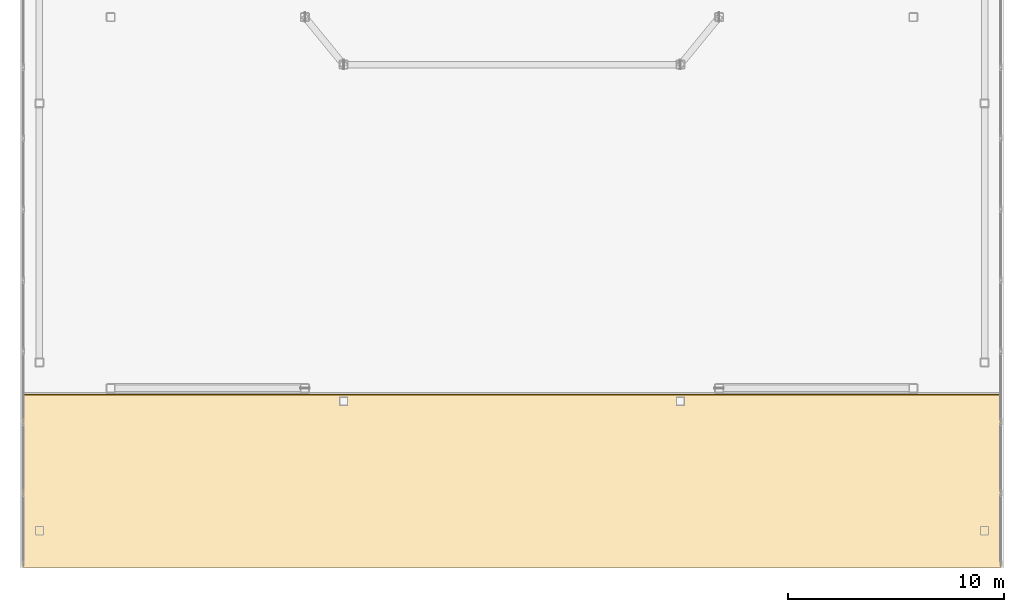
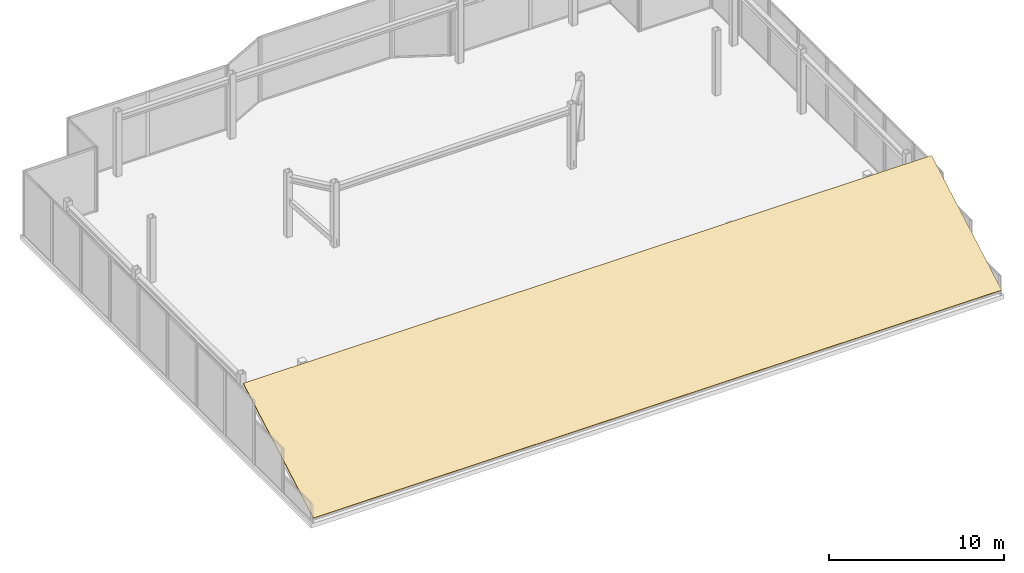
# One storey, part 15 of 15: 1 covering.
"""IFC4 building model written with IfcOpenShell, lengths in metres."""

from ifc_helpers import new_model, si_unit, direction, frame, origin, place, context, subcontext, project, spatial, polyline, outline, extrude, material, layer, layer_set, type_object, element, save


model = new_model("IFC4")

# Units and contexts
model_context = context("Model", 3, precision=1e-05, world=origin(), true_north=direction((0.0, 1.0)))
body_context = subcontext(model_context, "Body", "Model", "MODEL_VIEW")
ifc_project = project(units=[si_unit("LENGTHUNIT", "METRE"), si_unit("AREAUNIT", "SQUARE_METRE"), si_unit("VOLUMEUNIT", "CUBIC_METRE"), si_unit("PLANEANGLEUNIT", "RADIAN"), si_unit("MASSUNIT", "GRAM", prefix="KILO")], contexts=[model_context])

# Site, building, storey
site_placement = place(None, origin())
site = spatial("IfcSite", under=ifc_project, at=site_placement, CompositionType="ELEMENT")
building_placement = place(site_placement, origin())
building = spatial("IfcBuilding", under=site, at=building_placement, Name="Tarnavaz Court Tower", CompositionType="ELEMENT")
storey_placement = place(building_placement, frame((0.0, 0.0, 295.050048828125)))
storey = spatial("IfcBuildingStorey", under=building, at=storey_placement, Name="C04", CompositionType="ELEMENT", Elevation=295.050048828125)

# Covering
ifc_material = material(Name="TPO High-Albedo Waterproofing Membrane and Terracotta Tile", Category="masonry")
ifc_layer = layer(ifc_material, 0.06005859375)
ifc_layer_set = layer_set([ifc_layer], Name="TPO High-Albedo Waterproofing Membrane and Terracotta Tile")
covering_type = type_object("IfcCoveringType", Name="CV-ROOF-MEM", PredefinedType="ROOFING", material=ifc_layer_set)
covering_placement = place(storey_placement, frame((-22.64990234375, -7.5, 4.893310546875), z_axis=(0.0, -0.492277818231, 0.870438136617), x_axis=(1.0, 0.0, 0.0)))
element("IfcCovering", 1, at=covering_placement, inside=storey, type_object=covering_type, Name="C04 Terracotta-Tiled Crown Roof Waterproofing Membrane ALL", PredefinedType="ROOFING", context=body_context, shape_type="SweptSolid", body=[
    extrude(outline(polyline([(0.0, 0.0), (45.2998046875, 0.0), (45.2998046875, -9.19077377639923), (0.0, -9.19077377639923), (0.0, 0.0)])), origin(), (0.0, 0.0, -1.0), 0.06005859375),
])

save(model, "model.ifc")
